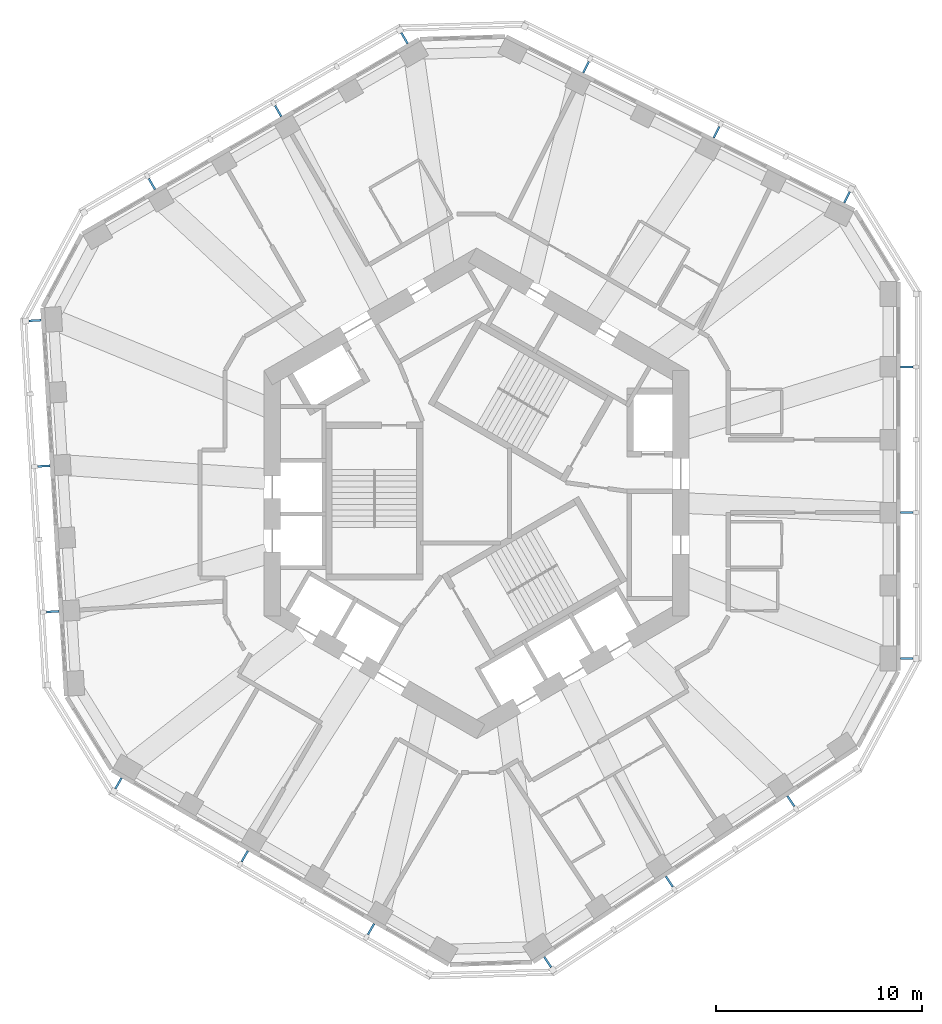
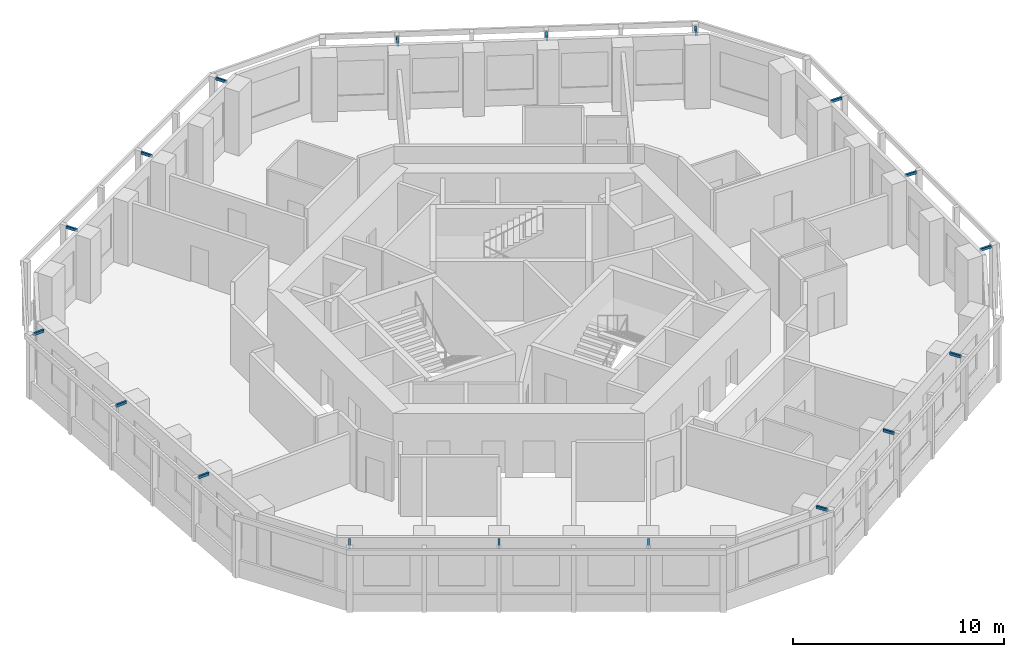
# One storey, part 10 of 11: 18 discrete accessories.
"""IFC4 building model written with IfcOpenShell, lengths in metres."""

from ifc_helpers import new_model, si_unit, direction, frame, origin, origin_2d, place, context, subcontext, project, spatial, rectangle, extrude, material, type_object, element, save


model = new_model("IFC4")

# Units and contexts
model_context = context("Model", 3, precision=1e-05, world=origin(), true_north=direction((0.0, 1.0)))
body_context = subcontext(model_context, "Body", "Model", "MODEL_VIEW")
ifc_project = project(units=[si_unit("LENGTHUNIT", "METRE"), si_unit("AREAUNIT", "SQUARE_METRE"), si_unit("VOLUMEUNIT", "CUBIC_METRE"), si_unit("PLANEANGLEUNIT", "RADIAN"), si_unit("MASSUNIT", "GRAM", prefix="KILO")], contexts=[model_context])

# Site, building, storey
site_placement = place(None, origin())
site = spatial("IfcSite", under=ifc_project, at=site_placement, CompositionType="ELEMENT")
building_placement = place(site_placement, origin())
building = spatial("IfcBuilding", under=site, at=building_placement, Name="Vanh Sen Convention Tower", CompositionType="ELEMENT")
storey_placement = place(building_placement, frame((0.0, 0.0, 221.699951171875)))
storey = spatial("IfcBuildingStorey", under=building, at=storey_placement, Name="L54", CompositionType="ELEMENT", Elevation=221.699951171875)

# Discrete accessories
ifc_material = material(Name="Steel S355", Category="steel")
discrete_accessory_type = type_object("IfcDiscreteAccessoryType", Name="Fin bracket 100 x 150", PredefinedType="BRACKET", material=ifc_material)
for number, where, z_axis, x_axis, name in (
    (1, (20.85009765625, -8.002685546875, 3.5), (0.0, 0.0, 1.0), (1.0, 0.0, 0.0), "Fin bracket E-1 L54"),
    (2, (20.85009765625, -0.935546875, 3.5), (0.0, 0.0, 1.0), (1.0, 0.0, 0.0), "Fin bracket E-3 L54"),
    (3, (20.85009765625, 6.131591796875, 3.5), (0.0, 0.0, 1.0), (1.0, 0.0, 0.0), "Fin bracket E-5 L54"),
    (4, (17.953125, 14.3466796875, 3.5), (0.0, 0.0, 1.0), (0.44619781311, 0.894934361602, 0.0), "Fin bracket NE-1 L54"),
    (5, (11.62841796875, 17.5, 3.5), (0.0, 0.0, 1.0), (0.44619781311, 0.894934361602, 0.0), "Fin bracket NE-3 L54"),
    (6, (5.3037109375, 20.653564453125, 3.5), (0.0, 0.0, 1.0), (0.44619781311, 0.894934361602, 0.0), "Fin bracket NE-5 L54"),
    (7, (-3.494384765625, 22.05810546875, 3.5), (0.0, 0.0, 1.0), (-0.5, 0.866025403784, 0.0), "Fin bracket NW-1 L54"),
    (8, (-9.61474609375, 18.5244140625, 3.5), (0.0, 0.0, 1.0), (-0.5, 0.866025403784, 0.0), "Fin bracket NW-3 L54"),
    (9, (-15.735107421875, 14.99072265625, 3.5), (0.0, 0.0, 1.0), (-0.5, 0.866025403784, 0.0), "Fin bracket NW-5 L54"),
    (10, (-21.401123046875, 8.37451171875, 3.5), (0.0, 0.0, 1.0), (-0.998134798422, -0.061048539535, 0.0), "Fin bracket W-1 L54"),
    (11, (-20.9697265625, 1.3203125, 3.5), (0.0, 0.0, 1.0), (-0.998134798422, -0.061048539535, 0.0), "Fin bracket W-3 L54"),
    (12, (-20.538330078125, -5.733642578125, 3.5), (0.0, 0.0, 1.0), (-0.998134798422, -0.061048539535, 0.0), "Fin bracket W-5 L54"),
    (13, (-17.355712890625, -14.05517578125, 3.5), (0.0, 0.0, 1.0), (-0.5, -0.866025403784, 0.0), "Fin bracket SW-1 L54"),
    (14, (-11.235107421875, -17.5888671875, 3.5), (0.0, 0.0, 1.0), (-0.5, -0.866025403784, 0.0), "Fin bracket SW-3 L54"),
    (15, (-5.11474609375, -21.12255859375, 3.5), (0.0, 0.0, 1.0), (-0.5, -0.866025403784, 0.0), "Fin bracket SW-5 L54"),
    (16, (3.447998046875, -22.72119140625, 3.5), (0.0, 0.0, 1.0), (0.551936985312, -0.833885822067, 0.0), "Fin bracket SE-1 L54"),
    (17, (9.34130859375, -18.820556640625, 3.5), (0.0, 0.0, 1.0), (0.551936985312, -0.833885822067, 0.0), "Fin bracket SE-3 L54"),
    (18, (15.234619140625, -14.919921875, 3.5), (0.0, 0.0, 1.0), (0.551936985312, -0.833885822067, 0.0), "Fin bracket SE-5 L54"),
):
    element("IfcDiscreteAccessory", number, at=place(storey_placement, frame(where, z_axis=z_axis, x_axis=x_axis)), inside=storey, type_object=discrete_accessory_type, Name=name, PredefinedType="BRACKET", context=body_context, shape_type="SweptSolid", body=[
        extrude(rectangle(XDim=0.60009765625, YDim=0.10009765625, at=origin_2d()), origin(), (0.0, 0.0, 1.0), 0.14990234375),
    ])

save(model, "model.ifc")
